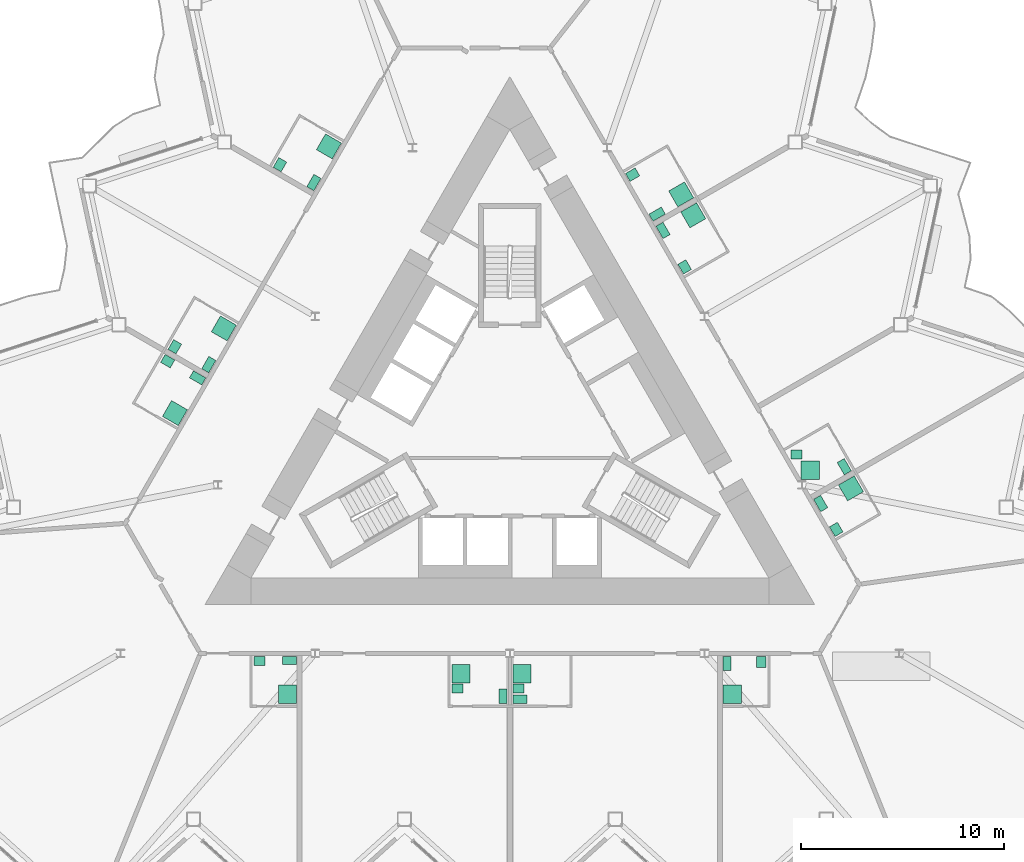
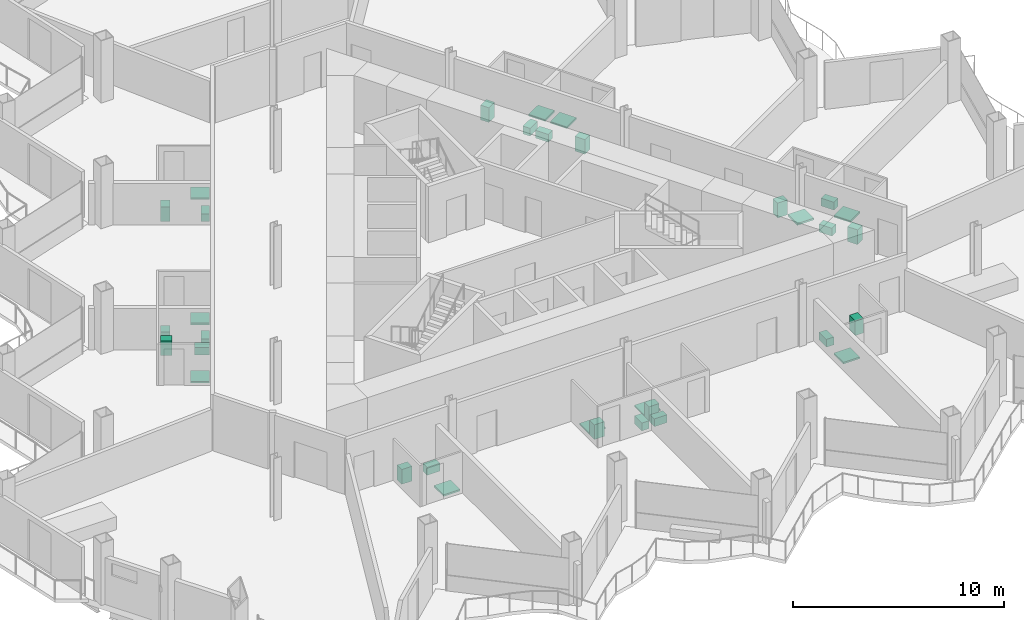
# One storey, part 23 of 24: 33 sanitary terminals.
"""IFC4 building model written with IfcOpenShell, lengths in metres."""

from ifc_helpers import new_model, si_unit, direction, frame, origin, origin_2d, place, context, subcontext, project, spatial, rectangle, extrude, material, type_object, element, save


model = new_model("IFC4")

# Units and contexts
model_context = context("Model", 3, precision=1e-05, world=origin(), true_north=direction((0.0, 1.0)))
body_context = subcontext(model_context, "Body", "Model", "MODEL_VIEW")
ifc_project = project(units=[si_unit("LENGTHUNIT", "METRE"), si_unit("AREAUNIT", "SQUARE_METRE"), si_unit("VOLUMEUNIT", "CUBIC_METRE"), si_unit("PLANEANGLEUNIT", "RADIAN"), si_unit("MASSUNIT", "GRAM", prefix="KILO")], contexts=[model_context])

# Site, building, storey
site_placement = place(None, origin())
site = spatial("IfcSite", under=ifc_project, at=site_placement, CompositionType="ELEMENT")
building_placement = place(site_placement, origin())
building = spatial("IfcBuilding", under=site, at=building_placement, Name="Cormorant Prow Tower", CompositionType="ELEMENT")
storey_placement = place(building_placement, frame((0.0, 0.0, 238.199951171875)))
storey = spatial("IfcBuildingStorey", under=building, at=storey_placement, Name="L52", CompositionType="ELEMENT", Elevation=238.199951171875)

# Sanitary terminals
ifc_material_1 = material(Name="Vitreous china")
sanitary_terminal_type_1 = type_object("IfcSanitaryTerminalType", Name="Shower tray 900x900", PredefinedType="SHOWER", material=ifc_material_1)
for number, where, z_axis, x_axis, name in (
    (1, (-10.938720703125, -13.065185546875, 0.0), (0.0, 0.0, 1.0), (-1.0, 0.0, 0.0), "Shower tray"),
    (2, (-2.405029296875, -12.065185546875, 0.0), (0.0, 0.0, 1.0), (1.0, 0.0, 0.0), "Shower tray"),
    (3, (0.594970703125, -12.065185546875, 0.0), (0.0, 0.0, 1.0), (1.0, 0.0, 0.0), "Shower tray"),
    (4, (10.938720703125, -13.065185546875, 0.0), (0.0, 0.0, 1.0), (0.0, 1.0, 0.0), "Shower tray"),
    (5, (16.7841796875, -2.940673828125, 0.0), (0.0, 0.0, 1.0), (0.5, -0.866025403784, 0.0), "Shower tray"),
    (6, (14.780029296875, -2.048095703125, 0.0), (0.0, 0.0, 1.0), (1.0, 0.0, 0.0), "Shower tray"),
    (7, (9.0263671875, 10.496337890625, 0.0), (0.0, 0.0, 1.0), (0.5, -0.866025403784, 0.0), "Shower tray"),
    (8, (8.431396484375, 11.52685546875, 0.0), (0.0, 0.0, 1.0), (-0.866025403784, -0.5, 0.0), "Shower tray"),
    (9, (-8.9033203125, 13.889404296875, 0.0), (0.0, 0.0, 1.0), (-0.5, -0.866025403784, 0.0), "Shower tray"),
    (10, (-14.0751953125, 4.931396484375, 0.0), (0.0, 0.0, 1.0), (-0.5, -0.866025403784, 0.0), "Shower tray"),
    (11, (-16.480224609375, 0.765869140625, 0.0), (0.0, 0.0, 1.0), (-0.866025403784, 0.5, 0.0), "Shower tray"),
):
    element("IfcSanitaryTerminal", number, at=place(storey_placement, frame(where, z_axis=z_axis, x_axis=x_axis)), inside=storey, type_object=sanitary_terminal_type_1, Name=name, PredefinedType="SHOWER", context=body_context, shape_type="SweptSolid", body=[
        extrude(rectangle(XDim=0.89990234375, YDim=0.89990234375, at=origin_2d()), origin(), (0.0, 0.0, 1.0), 0.10009765625),
    ])
ifc_material_2 = material(Name="Vitreous china")
sanitary_terminal_type_2 = type_object("IfcSanitaryTerminalType", Name="Wash basin 550x450", PredefinedType="WASHHANDBASIN", material=ifc_material_2)
for number, where, z_axis, x_axis, name in (
    (12, (-12.32373046875, -11.430419921875, 0.0), (0.0, 0.0, 1.0), (1.0, 0.0, 0.0), "Wash basin"),
    (13, (-2.580078125, -12.790283203125, 0.0), (0.0, 0.0, 1.0), (1.0, 0.0, 0.0), "Wash basin"),
    (14, (0.419921875, -12.790283203125, 0.0), (0.0, 0.0, 1.0), (1.0, 0.0, 0.0), "Wash basin"),
    (15, (12.373779296875, -11.480224609375, 0.0), (0.0, 0.0, 1.0), (0.0, -1.0, 0.0), "Wash basin"),
    (16, (16.060791015625, -4.95751953125, 0.0), (0.0, 0.0, 1.0), (-0.5, 0.866025403784, 0.0), "Wash basin"),
    (17, (14.10498046875, -1.273193359375, 0.0), (0.0, 0.0, 1.0), (1.0, 0.0, 0.0), "Wash basin"),
    (18, (8.602783203125, 7.959716796875, 0.0), (0.0, 0.0, 1.0), (-0.5, 0.866025403784, 0.0), "Wash basin"),
    (19, (6.041259765625, 12.496826171875, 0.0), (0.0, 0.0, 1.0), (0.866025403784, 0.5, 0.0), "Wash basin"),
    (20, (-11.311767578125, 12.98779296875, 0.0), (0.0, 0.0, 1.0), (0.5, 0.866025403784, 0.0), "Wash basin"),
    (21, (-16.483642578125, 4.02978515625, 0.0), (0.0, 0.0, 1.0), (0.5, 0.866025403784, 0.0), "Wash basin"),
    (22, (-16.83544921875, 3.32080078125, 0.0), (0.0, 0.0, 1.0), (0.866025403784, -0.5, 0.0), "Wash basin"),
):
    element("IfcSanitaryTerminal", number, at=place(storey_placement, frame(where, z_axis=z_axis, x_axis=x_axis)), inside=storey, type_object=sanitary_terminal_type_2, Name=name, PredefinedType="WASHHANDBASIN", context=body_context, shape_type="SweptSolid", body=[
        extrude(rectangle(XDim=0.550048828125, YDim=0.449951171875, at=origin_2d()), origin(), (0.0, 0.0, 1.0), 0.85009765625),
    ])
ifc_material_3 = material(Name="Vitreous china")
sanitary_terminal_type_3 = type_object("IfcSanitaryTerminalType", Name="Water closet 400x700", PredefinedType="WCSEAT", material=ifc_material_3)
for number, where, z_axis, x_axis, name in (
    (23, (-10.8388671875, -11.4052734375, 0.0), (0.0, 0.0, 1.0), (0.0, -1.0, 0.0), "Water closet"),
    (24, (-0.344970703125, -13.165283203125, 0.0), (0.0, 0.0, 1.0), (-1.0, 0.0, 0.0), "Water closet"),
    (25, (0.4951171875, -13.315185546875, 0.0), (0.0, 0.0, 1.0), (0.0, 1.0, 0.0), "Water closet"),
    (26, (10.688720703125, -11.555419921875, 0.0), (0.0, 0.0, 1.0), (1.0, 0.0, 0.0), "Water closet"),
    (27, (15.296630859375, -3.68408203125, 0.0), (0.0, 0.0, 1.0), (0.866025403784, 0.5, 0.0), "Water closet"),
    (28, (16.455810546875, -1.87158203125, 0.0), (0.0, 0.0, 1.0), (-0.866025403784, -0.5, 0.0), "Water closet"),
    (29, (7.538818359375, 9.7529296875, 0.0), (0.0, 0.0, 1.0), (0.866025403784, 0.5, 0.0), "Water closet"),
    (30, (7.248779296875, 10.555419921875, 0.0), (0.0, 0.0, 1.0), (-0.5, 0.866025403784, 0.0), "Water closet"),
    (31, (-9.641845703125, 12.1103515625, 0.0), (0.0, 0.0, 1.0), (-0.866025403784, 0.5, 0.0), "Water closet"),
    (32, (-14.813720703125, 3.15234375, 0.0), (0.0, 0.0, 1.0), (-0.866025403784, 0.5, 0.0), "Water closet"),
    (33, (-15.36376953125, 2.5, 0.0), (0.0, 0.0, 1.0), (-0.5, -0.866025403784, 0.0), "Water closet"),
):
    element("IfcSanitaryTerminal", number, at=place(storey_placement, frame(where, z_axis=z_axis, x_axis=x_axis)), inside=storey, type_object=sanitary_terminal_type_3, Name=name, PredefinedType="WCSEAT", context=body_context, shape_type="SweptSolid", body=[
        extrude(rectangle(XDim=0.39990234375, YDim=0.699951171875, at=origin_2d()), origin(), (0.0, 0.0, 1.0), 0.449951171875),
    ])

save(model, "model.ifc")
